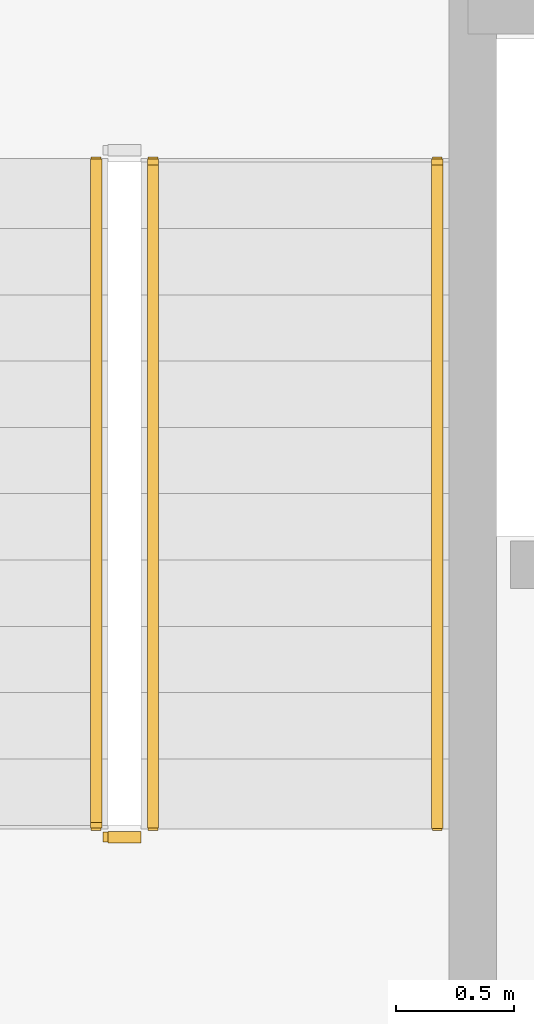
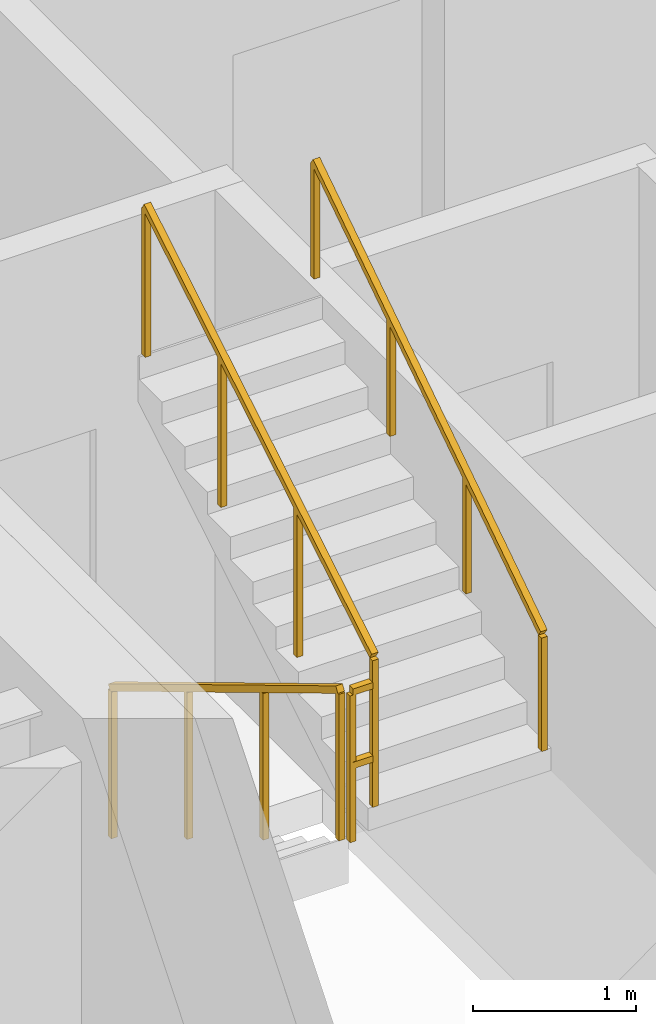
# One storey, part 15 of 19: 4 railings.
"""IFC4 building model written with IfcOpenShell, lengths in metres."""

import ifcopenshell
import ifcopenshell.guid

model = None  # the IFC model being written
_history = None  # IfcOwnerHistory: only IFC2X3 demands one
_inside = {}  # id of a spatial element -> (the spatial element, [elements in it])
_under = {}  # id of a project, library or spatial element -> (it, [spatial elements below it])
_declared = {}  # id of a project -> (the project, [libraries it declares])
_typed = {}  # id of a type object -> (the type object, [elements of that type])
_made_of = {}  # id of a material, layer set ... -> (it, [elements and type objects made of it])


def new_model(schema):
    """Start an empty IFC model of exactly this schema.

    Asked for "IFC4X3", IfcOpenShell would pick the latest addendum, in which some entities
    have other attributes; the version numbers below select the first issue.
    IFC2X3 requires an IfcOwnerHistory on every rooted entity: one is made here for all.
    """
    global model, _history
    if schema == "IFC4X3":
        model = ifcopenshell.file(schema_version=(4, 3, 0, 0))
    else:
        model = ifcopenshell.file(schema=schema)
    _inside.clear()
    _under.clear()
    _declared.clear()
    _typed.clear()
    _made_of.clear()
    _history = None
    if model.schema == "IFC2X3":
        org = make("IfcOrganization", Name="unknown")
        user = make(
            "IfcPersonAndOrganization",
            ThePerson=make("IfcPerson", FamilyName="unknown"),
            TheOrganization=org,
        )
        app = make(
            "IfcApplication",
            ApplicationDeveloper=org,
            Version="unknown",
            ApplicationFullName="unknown",
            ApplicationIdentifier="unknown",
        )
        _history = make(
            "IfcOwnerHistory",
            OwningUser=user,
            OwningApplication=app,
            ChangeAction="ADDED",
            CreationDate=0,
        )
    return model


def make(cls, **values):
    """One entity of the class cls with the attributes given. An attribute that is None is left unset."""
    return model.create_entity(
        cls, **{name: value for name, value in values.items() if value is not None}
    )


def rooted(cls, **values):
    """An entity with a GlobalId (a new one), such as an element, a storey or a relation."""
    return make(cls, GlobalId=ifcopenshell.guid.new(), OwnerHistory=_history, **values)


def si_unit(unit_type, name, prefix=None):
    """IfcSIUnit, for example si_unit("LENGTHUNIT", "METRE", prefix="MILLI")."""
    return make("IfcSIUnit", UnitType=unit_type, Prefix=prefix, Name=name)


def derived_unit(unit_type, elements):
    """IfcDerivedUnit: a product of units, each with its exponent."""
    return make(
        "IfcDerivedUnit",
        Elements=[
            make("IfcDerivedUnitElement", Unit=unit, Exponent=power)
            for unit, power in elements
        ],
        UnitType=unit_type,
    )


def assignment(units):
    """IfcUnitAssignment: the units of a project."""
    return None if units is None else make("IfcUnitAssignment", Units=units)


def point(xyz):
    """IfcCartesianPoint."""
    return None if xyz is None else make("IfcCartesianPoint", Coordinates=xyz)


def direction(xyz):
    """IfcDirection."""
    return None if xyz is None else make("IfcDirection", DirectionRatios=xyz)


def frame(location, z_axis=None, x_axis=None):
    """IfcAxis2Placement3D, a coordinate frame: its origin and axes. An axis left out is left unset."""
    return make(
        "IfcAxis2Placement3D",
        Location=point(location),
        Axis=direction(z_axis),
        RefDirection=direction(x_axis),
    )


def frame_2d(location, x_axis=None):
    """IfcAxis2Placement2D, a coordinate frame in the plane: its origin and x axis."""
    return make(
        "IfcAxis2Placement2D", Location=point(location), RefDirection=direction(x_axis)
    )


def origin():
    """The frame at (0, 0, 0) with its axes left unset."""
    return frame((0.0, 0.0, 0.0))


def origin_2d():
    """The frame at (0, 0) in the plane with its x axis left unset."""
    return frame_2d((0.0, 0.0))


def place(relative_to, where):
    """IfcLocalPlacement: puts the frame where relative to a parent placement (None: the world)."""
    return make(
        "IfcLocalPlacement", PlacementRelTo=relative_to, RelativePlacement=where
    )


def context(
    kind, dimensions, precision=None, world=None, true_north=None, identifier=None
):
    """IfcGeometricRepresentationContext, for example the 3D "Model" context."""
    return make(
        "IfcGeometricRepresentationContext",
        ContextIdentifier=identifier,
        ContextType=kind,
        CoordinateSpaceDimension=dimensions,
        Precision=precision,
        WorldCoordinateSystem=world,
        TrueNorth=true_north,
    )


def subcontext(parent, identifier, kind, view, scale=None):
    """IfcGeometricRepresentationSubContext, for example "Body" below "Model"."""
    return make(
        "IfcGeometricRepresentationSubContext",
        ContextIdentifier=identifier,
        ContextType=kind,
        ParentContext=parent,
        TargetScale=scale,
        TargetView=view,
    )


def project(units=None, contexts=None):
    """IfcProject with its units and contexts."""
    return rooted(
        "IfcProject",
        Name="project",
        RepresentationContexts=contexts,
        UnitsInContext=assignment(units),
    )


def spatial(cls, under=None, at=None, **own):
    """A site, building, storey or space (cls), placed at a placement, below another one or the project."""
    s = rooted(cls, ObjectPlacement=at, **own)
    if under is not None:
        _under.setdefault(under.id(), (under, []))[1].append(s)
    return s


def profile(cls, at=None, kind="AREA", **sizes):
    """A parametric profile (cls). Its sizes go by their IFC names, for example OverallWidth=200.0."""
    return make(cls, ProfileType=kind, Position=at, **sizes)


def rectangle(**sizes):
    """IfcRectangleProfileDef."""
    return profile("IfcRectangleProfileDef", **sizes)


def extrude(swept, where, along, depth):
    """IfcExtrudedAreaSolid: the profile swept, set in the frame where, extruded along a direction by depth."""
    return make(
        "IfcExtrudedAreaSolid",
        SweptArea=swept,
        Position=where,
        ExtrudedDirection=direction(along),
        Depth=depth,
    )


def shape(context_of_items, identifier, shape_type, items):
    """IfcShapeRepresentation: the items that make up one representation, for example the "Body"."""
    return make(
        "IfcShapeRepresentation",
        ContextOfItems=context_of_items,
        RepresentationIdentifier=identifier,
        RepresentationType=shape_type,
        Items=items,
    )


def material(Name=None, Category=None):
    """IfcMaterial."""
    return make("IfcMaterial", Name=Name, Category=Category)


def made_of(thing, what):
    """Note that an element or type object is made of a material, layer set ...; save() writes the relation."""
    if what is not None:
        _made_of.setdefault(what.id(), (what, []))[1].append(thing)
    return thing


def type_object(cls, material=None, **own):
    """A type object (cls), such as IfcWallType, which elements share."""
    return made_of(rooted(cls, **own), material)


def element(
    cls,
    number,
    at=None,
    inside=None,
    cuts=None,
    type_object=None,
    material=None,
    context=None,
    identifier="Body",
    shape_type=None,
    held_by="IfcProductDefinitionShape",
    body=None,
    shapes=None,
    **own,
):
    """One element of the class cls, such as IfcWall. Its Tag is "e" and its number.

    at: its placement. inside: the storey or other place that contains it. cuts: it is an
    opening in that element (IfcRelVoidsElement). A single representation is given by context,
    identifier, shape_type and body (its items); several are given by shapes. held_by: the class
    of the entity that holds the representations. save() writes the other relations.
    """
    e = rooted(cls, Tag="e%d" % number, ObjectPlacement=at, **own)
    if body is not None:
        shapes = [shape(context, identifier, shape_type, body)]
    if shapes is not None:
        e.Representation = make(held_by, Representations=shapes)
    if inside is not None:
        _inside.setdefault(inside.id(), (inside, []))[1].append(e)
    if cuts is not None:
        rooted(
            "IfcRelVoidsElement", RelatingBuildingElement=cuts, RelatedOpeningElement=e
        )
    if type_object is not None:
        _typed.setdefault(type_object.id(), (type_object, []))[1].append(e)
    return made_of(e, material)


def aggregate(whole, parts):
    """IfcRelAggregates: a whole, such as a stair, and the parts it consists of."""
    return rooted("IfcRelAggregates", RelatingObject=whole, RelatedObjects=parts)


def save(model, path):
    """Write the relations noted so far, then the file.

    IfcRelAggregates (storeys below a building ...), IfcRelContainedInSpatialStructure (elements
    in a storey), IfcRelDefinesByType, IfcRelAssociatesMaterial and IfcRelDeclares: one each for
    every whole, place, type object, material and project.
    """
    for whole, parts in _under.values():
        aggregate(whole, parts)
    for where, things in _inside.values():
        rooted(
            "IfcRelContainedInSpatialStructure",
            RelatedElements=things,
            RelatingStructure=where,
        )
    for kind, things in _typed.values():
        rooted("IfcRelDefinesByType", RelatedObjects=things, RelatingType=kind)
    for what, things in _made_of.values():
        rooted("IfcRelAssociatesMaterial", RelatedObjects=things, RelatingMaterial=what)
    for by, libraries in _declared.values():
        rooted("IfcRelDeclares", RelatingContext=by, RelatedDefinitions=libraries)
    model.write(path)


model = new_model("IFC4")

# Units and contexts
model_context = context("Model", 3, precision=1e-05, world=origin(), true_north=direction((0.0, 1.0)))
body_context = subcontext(model_context, "Body", "Model", "MODEL_VIEW")
ifc_project = project(units=[si_unit("LENGTHUNIT", "METRE"), si_unit("AREAUNIT", "SQUARE_METRE"), si_unit("VOLUMEUNIT", "CUBIC_METRE"), si_unit("PLANEANGLEUNIT", "RADIAN"), si_unit("MASSUNIT", "GRAM", prefix="KILO"), si_unit("THERMODYNAMICTEMPERATUREUNIT", "KELVIN"), si_unit("POWERUNIT", "WATT"), derived_unit("THERMALTRANSMITTANCEUNIT", [(si_unit("POWERUNIT", "WATT"), 1), (si_unit("AREAUNIT", "SQUARE_METRE"), -1), (si_unit("THERMODYNAMICTEMPERATUREUNIT", "KELVIN"), -1)])], contexts=[model_context])

# Site, building, storey
site_placement = place(None, origin())
site = spatial("IfcSite", under=ifc_project, at=site_placement, CompositionType="ELEMENT")
building_placement = place(site_placement, origin())
building = spatial("IfcBuilding", under=site, at=building_placement, Name="Zahravan Archway Hotel and Residences", CompositionType="ELEMENT")
storey_placement = place(building_placement, frame((0.0, 0.0, 32.39990234375)))
storey = spatial("IfcBuildingStorey", under=building, at=storey_placement, Name="L06", CompositionType="ELEMENT", Elevation=32.39990234375)

# Railings
ifc_material_1 = material(Name="Painted Tubular Steel", Category="steel")
railing_type_1 = type_object("IfcRailingType", Name="RL-STG-1150", PredefinedType="GUARDRAIL", material=ifc_material_1)
railing_1_placement = place(storey_placement, frame((36.550048828125, 9.72998046875, 0.168212890625)))
element("IfcRailing", 1, at=railing_1_placement, inside=storey, type_object=railing_type_1, Name="L06 ST-A1 stair guard 1", PredefinedType="GUARDRAIL", context=body_context, shape_type="SweptSolid", body=[
    extrude(rectangle(XDim=0.048095703125, YDim=0.048095703125, at=origin_2d()), frame((0.0, 0.0, 1.1259765625), z_axis=(0.0, -0.857242210791, 0.514913383045), x_axis=(1.0, 0.0, 0.0)), (0.0, 0.0, 1.0), 3.266357421875),
    extrude(rectangle(XDim=0.0419921875, YDim=0.0419921875, at=origin_2d()), origin(), (0.0, 0.0, 1.0), 1.101806640625),
    extrude(rectangle(XDim=0.0419921875, YDim=0.0419921875, at=origin_2d()), frame((0.0, -0.933349609375, 0.560546875)), (0.0, 0.0, 1.0), 1.101806640625),
    extrude(rectangle(XDim=0.0419921875, YDim=0.0419921875, at=origin_2d()), frame((0.0, -1.86669921875, 1.121337890625)), (0.0, 0.0, 1.0), 1.101806640625),
    extrude(rectangle(XDim=0.0419921875, YDim=0.0419921875, at=origin_2d()), frame((0.0, -2.800048828125, 1.681884765625)), (0.0, 0.0, 1.0), 1.101806640625),
])
railing_2_placement = place(storey_placement, frame((36.60009765625, 6.8798828125, 1.85009765625)))
element("IfcRailing", 2, at=railing_2_placement, inside=storey, type_object=railing_type_1, Name="L06 ST-A1 stair guard 2", PredefinedType="GUARDRAIL", context=body_context, shape_type="SweptSolid", body=[
    extrude(rectangle(XDim=0.048095703125, YDim=0.048095703125, at=origin_2d()), frame((0.0, 0.0, 1.1259765625), z_axis=(1.0, 0.0, 0.0), x_axis=(0.0, 1.0, 0.0)), (0.0, 0.0, 1.0), 0.139892578125),
    extrude(rectangle(XDim=0.048095703125, YDim=0.048095703125, at=origin_2d()), frame((0.0, 0.0, 0.574951171875), z_axis=(1.0, 0.0, 0.0), x_axis=(0.0, 1.0, 0.0)), (0.0, 0.0, 1.0), 0.139892578125),
    extrude(rectangle(XDim=0.0419921875, YDim=0.0419921875, at=origin_2d()), origin(), (0.0, 0.0, 1.0), 1.101806640625),
])
railing_3_placement = place(storey_placement, frame((36.7900390625, 6.929931640625, 2.018310546875)))
element("IfcRailing", 3, at=railing_3_placement, inside=storey, type_object=railing_type_1, Name="L06 ST-A1 stair guard 3", PredefinedType="GUARDRAIL", context=body_context, shape_type="SweptSolid", body=[
    extrude(rectangle(XDim=0.048095703125, YDim=0.048095703125, at=origin_2d()), frame((0.0, 0.0, 1.1259765625), z_axis=(0.0, 0.857242210791, 0.514913383045), x_axis=(-1.0, 0.0, 0.0)), (0.0, 0.0, 1.0), 3.266357421875),
    extrude(rectangle(XDim=0.0419921875, YDim=0.0419921875, at=origin_2d()), origin(), (0.0, 0.0, 1.0), 1.101806640625),
    extrude(rectangle(XDim=0.0419921875, YDim=0.0419921875, at=origin_2d()), frame((0.0, 0.933349609375, 0.560546875)), (0.0, 0.0, 1.0), 1.101806640625),
    extrude(rectangle(XDim=0.0419921875, YDim=0.0419921875, at=origin_2d()), frame((0.0, 1.86669921875, 1.121337890625)), (0.0, 0.0, 1.0), 1.101806640625),
    extrude(rectangle(XDim=0.0419921875, YDim=0.0419921875, at=origin_2d()), frame((0.0, 2.800048828125, 1.681884765625)), (0.0, 0.0, 1.0), 1.101806640625),
])
ifc_material_2 = material(Name="Brushed Stainless Steel", Category="steel")
railing_type_2 = type_object("IfcRailingType", Name="RL-STH-900", PredefinedType="HANDRAIL", material=ifc_material_2)
railing_4_placement = place(storey_placement, frame((37.989990234375, 6.929931640625, 2.018310546875)))
element("IfcRailing", 4, at=railing_4_placement, inside=storey, type_object=railing_type_2, Name="L06 ST-A1 stair handrail 2", PredefinedType="HANDRAIL", context=body_context, shape_type="SweptSolid", body=[
    extrude(rectangle(XDim=0.048095703125, YDim=0.048095703125, at=origin_2d()), frame((0.0, 0.0, 0.8759765625), z_axis=(0.0, 0.83435981716, 0.551220187865), x_axis=(-1.0, 0.0, 0.0)), (0.0, 0.0, 1.0), 3.35595703125),
    extrude(rectangle(XDim=0.0419921875, YDim=0.0419921875, at=origin_2d()), origin(), (0.0, 0.0, 1.0), 0.851806640625),
    extrude(rectangle(XDim=0.0419921875, YDim=0.0419921875, at=origin_2d()), frame((0.0, 0.933349609375, 0.61669921875)), (0.0, 0.0, 1.0), 0.851806640625),
    extrude(rectangle(XDim=0.0419921875, YDim=0.0419921875, at=origin_2d()), frame((0.0, 1.86669921875, 1.233154296875)), (0.0, 0.0, 1.0), 0.851806640625),
    extrude(rectangle(XDim=0.0419921875, YDim=0.0419921875, at=origin_2d()), frame((0.0, 2.800048828125, 1.849853515625)), (0.0, 0.0, 1.0), 0.851806640625),
])

save(model, "model.ifc")
